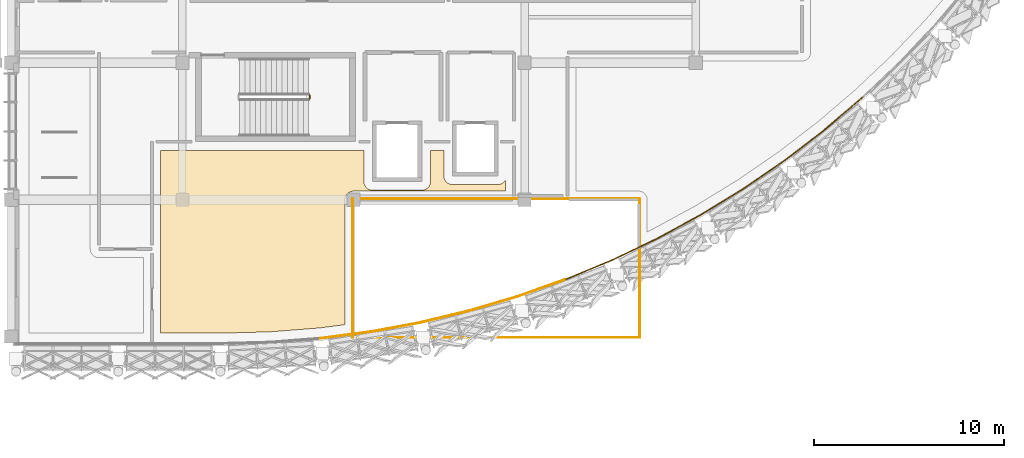
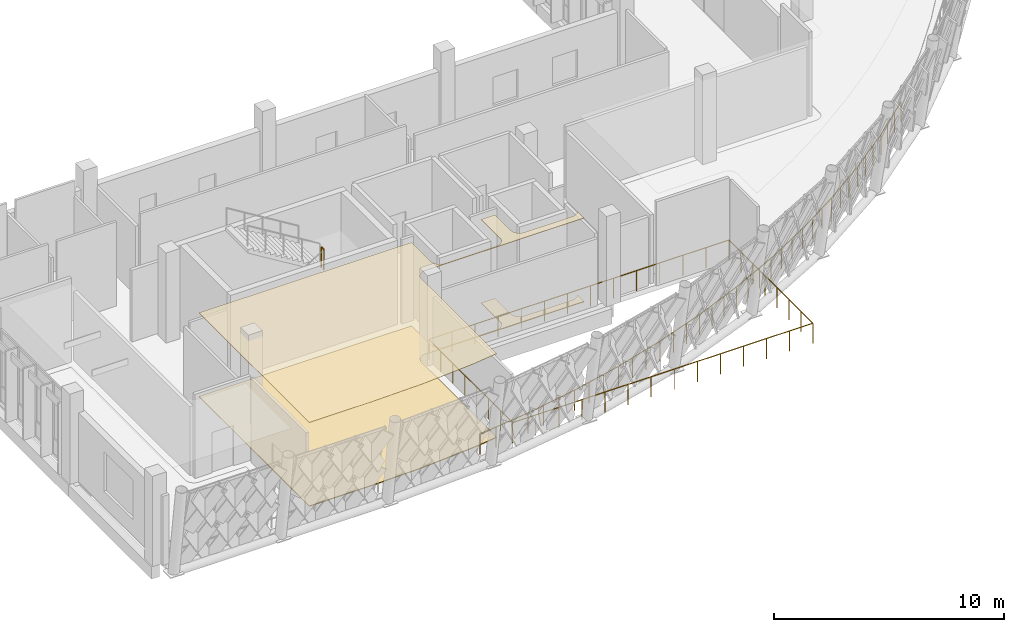
# One storey, part 174 of 177: 17 railings, 2 coverings.
"""IFC4 building model written with IfcOpenShell, lengths in metres."""

from ifc_helpers import new_model, si_unit, direction, frame, origin, origin_2d, place, context, subcontext, project, spatial, polyline, circle, outline, extrude, material, layer, layer_set, type_object, element, save


model = new_model("IFC4")

# Units and contexts
model_context = context("Model", 3, precision=1e-05, world=origin(), true_north=direction((0.0, 1.0)))
body_context = subcontext(model_context, "Body", "Model", "MODEL_VIEW")
ifc_project = project(units=[si_unit("LENGTHUNIT", "METRE"), si_unit("AREAUNIT", "SQUARE_METRE"), si_unit("VOLUMEUNIT", "CUBIC_METRE"), si_unit("PLANEANGLEUNIT", "RADIAN"), si_unit("MASSUNIT", "GRAM", prefix="KILO")], contexts=[model_context])

# Site, building, storey
site_placement = place(None, origin())
site = spatial("IfcSite", under=ifc_project, at=site_placement, CompositionType="ELEMENT")
building_placement = place(site_placement, origin())
building = spatial("IfcBuilding", under=site, at=building_placement, Name="Chiffa Square Polytechnic", CompositionType="ELEMENT")
storey_placement = place(building_placement, frame((0.0, 0.0, 4.800048828125)))
storey = spatial("IfcBuildingStorey", under=building, at=storey_placement, Name="L01", CompositionType="ELEMENT", Elevation=4.800048828125)

# Coverings
ifc_material_1 = material(Name="Perforated gypsum acoustic board")
ifc_layer_1 = layer(ifc_material_1, 0.02490234375, Name="Perforated gypsum acoustic board")
ifc_layer_set_1 = layer_set([ifc_layer_1], Name="Perforated gypsum acoustic board")
covering_type_1 = type_object("IfcCoveringType", Name="COV-CEIL-GYP", PredefinedType="CEILING", material=ifc_layer_set_1)
covering_1_placement = place(storey_placement, frame((0.0, 0.0, 4.45703125)))
element("IfcCovering", 1, at=covering_1_placement, inside=storey, type_object=covering_type_1, Name="Suspended acoustic ceiling CL-V1-L01-024", PredefinedType="CEILING", context=body_context, shape_type="SweptSolid", body=[
    extrude(outline(polyline([(120.050048828125, 17.0), (130.75, 17.0), (130.75, 15.35009765625), (130.751953125, 15.305908203125), (130.759033203125, 15.261962890625), (130.76904296875, 15.218994140625), (130.783935546875, 15.177978515625), (130.802978515625, 15.137939453125), (130.825927734375, 15.10009765625), (130.85205078125, 15.06494140625), (130.882080078125, 15.031982421875), (130.9150390625, 15.001953125), (130.949951171875, 14.97607421875), (130.988037109375, 14.952880859375), (131.028076171875, 14.93408203125), (131.069091796875, 14.9189453125), (131.112060546875, 14.908935546875), (131.156005859375, 14.902099609375), (131.199951171875, 14.89990234375), (133.800048828125, 14.89990234375), (133.843994140625, 14.902099609375), (133.887939453125, 14.908935546875), (133.930908203125, 14.9189453125), (133.971923828125, 14.93408203125), (134.011962890625, 14.952880859375), (134.050048828125, 14.97607421875), (134.0849609375, 15.001953125), (134.117919921875, 15.031982421875), (134.14794921875, 15.06494140625), (134.174072265625, 15.10009765625), (134.197021484375, 15.137939453125), (134.216064453125, 15.177978515625), (134.23095703125, 15.218994140625), (134.240966796875, 15.261962890625), (134.248046875, 15.305908203125), (134.25, 15.35009765625), (134.25, 17.0), (134.949951171875, 17.0), (134.949951171875, 15.64990234375), (134.951904296875, 15.60595703125), (134.958984375, 15.56201171875), (134.968994140625, 15.51904296875), (134.98388671875, 15.47802734375), (135.0029296875, 15.43798828125), (135.02587890625, 15.39990234375), (135.052001953125, 15.364990234375), (135.08203125, 15.33203125), (135.114990234375, 15.302001953125), (135.14990234375, 15.27587890625), (135.18798828125, 15.2529296875), (135.22802734375, 15.23388671875), (135.26904296875, 15.218994140625), (135.31201171875, 15.208984375), (135.35595703125, 15.201904296875), (135.39990234375, 15.199951171875), (137.800048828125, 15.199951171875), (137.843994140625, 15.201904296875), (137.887939453125, 15.208984375), (137.930908203125, 15.218994140625), (137.971923828125, 15.23388671875), (138.011962890625, 15.2529296875), (138.050048828125, 15.27587890625), (138.0849609375, 15.302001953125), (138.117919921875, 15.33203125), (138.14794921875, 15.364990234375), (138.174072265625, 15.39990234375), (138.197021484375, 15.43798828125), (138.199951171875, 15.445068359375), (138.199951171875, 14.85009765625), (130.199951171875, 14.85009765625), (130.156005859375, 14.847900390625), (130.112060546875, 14.841064453125), (130.069091796875, 14.8310546875), (130.028076171875, 14.81591796875), (129.988037109375, 14.797119140625), (129.949951171875, 14.77392578125), (129.9150390625, 14.748046875), (129.882080078125, 14.718017578125), (129.85205078125, 14.68505859375), (129.825927734375, 14.64990234375), (129.802978515625, 14.612060546875), (129.783935546875, 14.572021484375), (129.76904296875, 14.531005859375), (129.759033203125, 14.488037109375), (129.751953125, 14.444091796875), (129.75, 14.39990234375), (129.75, 7.826904296875), (128.424072265625, 7.653076171875), (125.81494140625, 7.447021484375), (123.19091796875, 7.3779296875), (120.050048828125, 7.3779296875), (120.050048828125, 17.0)])), origin(), (0.0, 0.0, 1.0), 0.02490234375),
])
ifc_material_2 = material(Name="Polished cementitious terrazzo")
ifc_layer_2 = layer(ifc_material_2, 0.0400390625, Name="Polished cementitious terrazzo")
ifc_layer_set_2 = layer_set([ifc_layer_2], Name="Polished cementitious terrazzo")
covering_type_2 = type_object("IfcCoveringType", Name="COV-FLR-TERRAZZO", PredefinedType="FLOORING", material=ifc_layer_set_2)
covering_2_placement = place(storey_placement, origin())
element("IfcCovering", 2, at=covering_2_placement, inside=storey, type_object=covering_type_2, Name="Polished terrazzo floor finish FL-V1-L01-023", PredefinedType="FLOORING", context=body_context, shape_type="SweptSolid", body=[
    extrude(outline(polyline([(120.050048828125, 17.0), (130.75, 17.0), (130.75, 15.35009765625), (130.751953125, 15.305908203125), (130.759033203125, 15.261962890625), (130.76904296875, 15.218994140625), (130.783935546875, 15.177978515625), (130.802978515625, 15.137939453125), (130.825927734375, 15.10009765625), (130.85205078125, 15.06494140625), (130.882080078125, 15.031982421875), (130.9150390625, 15.001953125), (130.949951171875, 14.97607421875), (130.988037109375, 14.952880859375), (131.028076171875, 14.93408203125), (131.069091796875, 14.9189453125), (131.112060546875, 14.908935546875), (131.156005859375, 14.902099609375), (131.199951171875, 14.89990234375), (133.800048828125, 14.89990234375), (133.843994140625, 14.902099609375), (133.887939453125, 14.908935546875), (133.930908203125, 14.9189453125), (133.971923828125, 14.93408203125), (134.011962890625, 14.952880859375), (134.050048828125, 14.97607421875), (134.0849609375, 15.001953125), (134.117919921875, 15.031982421875), (134.14794921875, 15.06494140625), (134.174072265625, 15.10009765625), (134.197021484375, 15.137939453125), (134.216064453125, 15.177978515625), (134.23095703125, 15.218994140625), (134.240966796875, 15.261962890625), (134.248046875, 15.305908203125), (134.25, 15.35009765625), (134.25, 17.0), (134.949951171875, 17.0), (134.949951171875, 15.64990234375), (134.951904296875, 15.60595703125), (134.958984375, 15.56201171875), (134.968994140625, 15.51904296875), (134.98388671875, 15.47802734375), (135.0029296875, 15.43798828125), (135.02587890625, 15.39990234375), (135.052001953125, 15.364990234375), (135.08203125, 15.33203125), (135.114990234375, 15.302001953125), (135.14990234375, 15.27587890625), (135.18798828125, 15.2529296875), (135.22802734375, 15.23388671875), (135.26904296875, 15.218994140625), (135.31201171875, 15.208984375), (135.35595703125, 15.201904296875), (135.39990234375, 15.199951171875), (137.800048828125, 15.199951171875), (137.843994140625, 15.201904296875), (137.887939453125, 15.208984375), (137.930908203125, 15.218994140625), (137.971923828125, 15.23388671875), (138.011962890625, 15.2529296875), (138.050048828125, 15.27587890625), (138.0849609375, 15.302001953125), (138.117919921875, 15.33203125), (138.14794921875, 15.364990234375), (138.174072265625, 15.39990234375), (138.197021484375, 15.43798828125), (138.199951171875, 15.445068359375), (138.199951171875, 14.85009765625), (130.199951171875, 14.85009765625), (130.156005859375, 14.847900390625), (130.112060546875, 14.841064453125), (130.069091796875, 14.8310546875), (130.028076171875, 14.81591796875), (129.988037109375, 14.797119140625), (129.949951171875, 14.77392578125), (129.9150390625, 14.748046875), (129.882080078125, 14.718017578125), (129.85205078125, 14.68505859375), (129.825927734375, 14.64990234375), (129.802978515625, 14.612060546875), (129.783935546875, 14.572021484375), (129.76904296875, 14.531005859375), (129.759033203125, 14.488037109375), (129.751953125, 14.444091796875), (129.75, 14.39990234375), (129.75, 7.826904296875), (128.424072265625, 7.653076171875), (125.81494140625, 7.447021484375), (123.19091796875, 7.3779296875), (120.050048828125, 7.3779296875), (120.050048828125, 17.0)])), origin(), (0.0, 0.0, 1.0), 0.0400390625),
])

# Railings
ifc_material_3 = material(Name="Steel S355", Category="steel")
ifc_layer_3 = layer(ifc_material_3, 0.050048828125, Name="Steel S355")
ifc_layer_set_3 = layer_set([ifc_layer_3], Name="Steel S355")
railing_type = type_object("IfcRailingType", Name="RL-STAIR-GUARD", PredefinedType="GUARDRAIL", material=ifc_layer_set_3)
railing_1_placement = place(storey_placement, frame((127.889892578125, 19.699951171875, 2.39990234375)))
element("IfcRailing", 3, at=railing_1_placement, inside=storey, type_object=railing_type, Name="L01 ST-V1A stair guard 2", PredefinedType="GUARDRAIL", context=body_context, shape_type="SweptSolid", body=[
    extrude(circle(Radius=0.02392578125, at=origin_2d()), frame((0.0, 0.0, 1.076171875), z_axis=(0.0, 1.0, 0.0), x_axis=(-1.0, 0.0, 0.0)), (0.0, 0.0, 1.0), 0.199951171875),
    extrude(circle(Radius=0.02099609375, at=origin_2d()), origin(), (0.0, 0.0, 1.0), 1.052001953125),
    extrude(circle(Radius=0.02099609375, at=origin_2d()), frame((0.0, 0.199951171875, 0.0)), (0.0, 0.0, 1.0), 1.052001953125),
])
railing_2_placement = place(storey_placement, frame((130.14990234375, 7.14990234375, 0.0)))
element("IfcRailing", 4, at=railing_2_placement, inside=storey, type_object=railing_type, Name="Atrium void guard GR-VOID-V1-L01-1", PredefinedType="GUARDRAIL", context=body_context, shape_type="SweptSolid", body=[
    extrude(circle(Radius=0.02392578125, at=origin_2d()), frame((0.0, 0.0, 1.076171875), z_axis=(1.0, 0.0, 0.0), x_axis=(0.0, 1.0, 0.0)), (0.0, 0.0, 1.0), 15.10009765625),
    extrude(circle(Radius=0.02099609375, at=origin_2d()), origin(), (0.0, 0.0, 1.0), 1.052001953125),
    extrude(circle(Radius=0.02099609375, at=origin_2d()), frame((1.16162109375, 0.0, 0.0)), (0.0, 0.0, 1.0), 1.052001953125),
    extrude(circle(Radius=0.02099609375, at=origin_2d()), frame((2.322998046875, 0.0, 0.0)), (0.0, 0.0, 1.0), 1.052001953125),
    extrude(circle(Radius=0.02099609375, at=origin_2d()), frame((3.484619140625, 0.0, 0.0)), (0.0, 0.0, 1.0), 1.052001953125),
    extrude(circle(Radius=0.02099609375, at=origin_2d()), frame((4.646240234375, 0.0, 0.0)), (0.0, 0.0, 1.0), 1.052001953125),
    extrude(circle(Radius=0.02099609375, at=origin_2d()), frame((5.8076171875, 0.0, 0.0)), (0.0, 0.0, 1.0), 1.052001953125),
    extrude(circle(Radius=0.02099609375, at=origin_2d()), frame((6.96923828125, 0.0, 0.0)), (0.0, 0.0, 1.0), 1.052001953125),
    extrude(circle(Radius=0.02099609375, at=origin_2d()), frame((8.130859375, 0.0, 0.0)), (0.0, 0.0, 1.0), 1.052001953125),
    extrude(circle(Radius=0.02099609375, at=origin_2d()), frame((9.29248046875, 0.0, 0.0)), (0.0, 0.0, 1.0), 1.052001953125),
    extrude(circle(Radius=0.02099609375, at=origin_2d()), frame((10.453857421875, 0.0, 0.0)), (0.0, 0.0, 1.0), 1.052001953125),
    extrude(circle(Radius=0.02099609375, at=origin_2d()), frame((11.615478515625, 0.0, 0.0)), (0.0, 0.0, 1.0), 1.052001953125),
    extrude(circle(Radius=0.02099609375, at=origin_2d()), frame((12.777099609375, 0.0, 0.0)), (0.0, 0.0, 1.0), 1.052001953125),
    extrude(circle(Radius=0.02099609375, at=origin_2d()), frame((13.9384765625, 0.0, 0.0)), (0.0, 0.0, 1.0), 1.052001953125),
    extrude(circle(Radius=0.02099609375, at=origin_2d()), frame((15.10009765625, 0.0, 0.0)), (0.0, 0.0, 1.0), 1.052001953125),
])
railing_3_placement = place(storey_placement, frame((145.25, 7.14990234375, 0.0)))
element("IfcRailing", 5, at=railing_3_placement, inside=storey, type_object=railing_type, Name="Atrium void guard GR-VOID-V1-L01-2", PredefinedType="GUARDRAIL", context=body_context, shape_type="SweptSolid", body=[
    extrude(circle(Radius=0.02392578125, at=origin_2d()), frame((0.0, 0.0, 1.076171875), z_axis=(0.0, 1.0, 0.0), x_axis=(-1.0, 0.0, 0.0)), (0.0, 0.0, 1.0), 7.300048828125),
    extrude(circle(Radius=0.02099609375, at=origin_2d()), origin(), (0.0, 0.0, 1.0), 1.052001953125),
    extrude(circle(Radius=0.02099609375, at=origin_2d()), frame((0.0, 1.04296875, 0.0)), (0.0, 0.0, 1.0), 1.052001953125),
    extrude(circle(Radius=0.02099609375, at=origin_2d()), frame((0.0, 2.085693359375, 0.0)), (0.0, 0.0, 1.0), 1.052001953125),
    extrude(circle(Radius=0.02099609375, at=origin_2d()), frame((0.0, 3.128662109375, 0.0)), (0.0, 0.0, 1.0), 1.052001953125),
    extrude(circle(Radius=0.02099609375, at=origin_2d()), frame((0.0, 4.17138671875, 0.0)), (0.0, 0.0, 1.0), 1.052001953125),
    extrude(circle(Radius=0.02099609375, at=origin_2d()), frame((0.0, 5.21435546875, 0.0)), (0.0, 0.0, 1.0), 1.052001953125),
    extrude(circle(Radius=0.02099609375, at=origin_2d()), frame((0.0, 6.257080078125, 0.0)), (0.0, 0.0, 1.0), 1.052001953125),
    extrude(circle(Radius=0.02099609375, at=origin_2d()), frame((0.0, 7.300048828125, 0.0)), (0.0, 0.0, 1.0), 1.052001953125),
])
railing_4_placement = place(storey_placement, frame((145.25, 14.449951171875, 0.0)))
element("IfcRailing", 6, at=railing_4_placement, inside=storey, type_object=railing_type, Name="Atrium void guard GR-VOID-V1-L01-3", PredefinedType="GUARDRAIL", context=body_context, shape_type="SweptSolid", body=[
    extrude(circle(Radius=0.02392578125, at=origin_2d()), frame((0.0, 0.0, 1.076171875), z_axis=(-1.0, 0.0, 0.0), x_axis=(0.0, -1.0, 0.0)), (0.0, 0.0, 1.0), 15.10009765625),
    extrude(circle(Radius=0.02099609375, at=origin_2d()), origin(), (0.0, 0.0, 1.0), 1.052001953125),
    extrude(circle(Radius=0.02099609375, at=origin_2d()), frame((-1.16162109375, 0.0, 0.0)), (0.0, 0.0, 1.0), 1.052001953125),
    extrude(circle(Radius=0.02099609375, at=origin_2d()), frame((-2.322998046875, 0.0, 0.0)), (0.0, 0.0, 1.0), 1.052001953125),
    extrude(circle(Radius=0.02099609375, at=origin_2d()), frame((-3.484619140625, 0.0, 0.0)), (0.0, 0.0, 1.0), 1.052001953125),
    extrude(circle(Radius=0.02099609375, at=origin_2d()), frame((-4.646240234375, 0.0, 0.0)), (0.0, 0.0, 1.0), 1.052001953125),
    extrude(circle(Radius=0.02099609375, at=origin_2d()), frame((-5.8076171875, 0.0, 0.0)), (0.0, 0.0, 1.0), 1.052001953125),
    extrude(circle(Radius=0.02099609375, at=origin_2d()), frame((-6.96923828125, 0.0, 0.0)), (0.0, 0.0, 1.0), 1.052001953125),
    extrude(circle(Radius=0.02099609375, at=origin_2d()), frame((-8.130859375, 0.0, 0.0)), (0.0, 0.0, 1.0), 1.052001953125),
    extrude(circle(Radius=0.02099609375, at=origin_2d()), frame((-9.29248046875, 0.0, 0.0)), (0.0, 0.0, 1.0), 1.052001953125),
    extrude(circle(Radius=0.02099609375, at=origin_2d()), frame((-10.453857421875, 0.0, 0.0)), (0.0, 0.0, 1.0), 1.052001953125),
    extrude(circle(Radius=0.02099609375, at=origin_2d()), frame((-11.615478515625, 0.0, 0.0)), (0.0, 0.0, 1.0), 1.052001953125),
    extrude(circle(Radius=0.02099609375, at=origin_2d()), frame((-12.777099609375, 0.0, 0.0)), (0.0, 0.0, 1.0), 1.052001953125),
    extrude(circle(Radius=0.02099609375, at=origin_2d()), frame((-13.9384765625, 0.0, 0.0)), (0.0, 0.0, 1.0), 1.052001953125),
    extrude(circle(Radius=0.02099609375, at=origin_2d()), frame((-15.10009765625, 0.0, 0.0)), (0.0, 0.0, 1.0), 1.052001953125),
])
railing_5_placement = place(storey_placement, frame((130.14990234375, 14.449951171875, 0.0)))
element("IfcRailing", 7, at=railing_5_placement, inside=storey, type_object=railing_type, Name="Atrium void guard GR-VOID-V1-L01-4", PredefinedType="GUARDRAIL", context=body_context, shape_type="SweptSolid", body=[
    extrude(circle(Radius=0.02392578125, at=origin_2d()), frame((0.0, 0.0, 1.076171875), z_axis=(0.0, -1.0, 0.0), x_axis=(1.0, 0.0, 0.0)), (0.0, 0.0, 1.0), 7.300048828125),
    extrude(circle(Radius=0.02099609375, at=origin_2d()), origin(), (0.0, 0.0, 1.0), 1.052001953125),
    extrude(circle(Radius=0.02099609375, at=origin_2d()), frame((0.0, -1.04296875, 0.0)), (0.0, 0.0, 1.0), 1.052001953125),
    extrude(circle(Radius=0.02099609375, at=origin_2d()), frame((0.0, -2.085693359375, 0.0)), (0.0, 0.0, 1.0), 1.052001953125),
    extrude(circle(Radius=0.02099609375, at=origin_2d()), frame((0.0, -3.128662109375, 0.0)), (0.0, 0.0, 1.0), 1.052001953125),
    extrude(circle(Radius=0.02099609375, at=origin_2d()), frame((0.0, -4.17138671875, 0.0)), (0.0, 0.0, 1.0), 1.052001953125),
    extrude(circle(Radius=0.02099609375, at=origin_2d()), frame((0.0, -5.21435546875, 0.0)), (0.0, 0.0, 1.0), 1.052001953125),
    extrude(circle(Radius=0.02099609375, at=origin_2d()), frame((0.0, -6.257080078125, 0.0)), (0.0, 0.0, 1.0), 1.052001953125),
    extrude(circle(Radius=0.02099609375, at=origin_2d()), frame((0.0, -7.300048828125, 0.0)), (0.0, 0.0, 1.0), 1.052001953125),
])
railing_6_placement = place(storey_placement, frame((128.48095703125, 7.10498046875, 0.0)))
element("IfcRailing", 8, at=railing_6_placement, inside=storey, type_object=railing_type, Name="Faculty L01 perimeter safety guard GR-V1-L01-PERIM-07", PredefinedType="GUARDRAIL", context=body_context, shape_type="SweptSolid", body=[
    extrude(circle(Radius=0.02392578125, at=origin_2d()), frame((0.0, 0.0, 1.076171875), z_axis=(0.991456180688, 0.130440184666, 0.0), x_axis=(-0.130440184666, 0.991456180688, 0.0)), (0.0, 0.0, 1.0), 2.644775390625),
    extrude(circle(Radius=0.02099609375, at=origin_2d()), origin(), (0.0, 0.0, 1.0), 1.052001953125),
    extrude(circle(Radius=0.02099609375, at=origin_2d()), frame((0.8740234375, 0.114990234375, 0.0)), (0.0, 0.0, 1.0), 1.052001953125),
    extrude(circle(Radius=0.02099609375, at=origin_2d()), frame((1.748046875, 0.22998046875, 0.0)), (0.0, 0.0, 1.0), 1.052001953125),
    extrude(circle(Radius=0.02099609375, at=origin_2d()), frame((2.6220703125, 0.344970703125, 0.0)), (0.0, 0.0, 1.0), 1.052001953125),
])
railing_7_placement = place(storey_placement, frame((131.10302734375, 7.449951171875, 0.0)))
element("IfcRailing", 9, at=railing_7_placement, inside=storey, type_object=railing_type, Name="Faculty L01 perimeter safety guard GR-V1-L01-PERIM-08", PredefinedType="GUARDRAIL", context=body_context, shape_type="SweptSolid", body=[
    extrude(circle(Radius=0.02392578125, at=origin_2d()), frame((0.0, 0.0, 1.076171875), z_axis=(0.98326486443, 0.182181794855, 0.0), x_axis=(-0.182181794855, 0.98326486443, 0.0)), (0.0, 0.0, 1.0), 2.645263671875),
    extrude(circle(Radius=0.02099609375, at=origin_2d()), origin(), (0.0, 0.0, 1.0), 1.052001953125),
    extrude(circle(Radius=0.02099609375, at=origin_2d()), frame((0.866943359375, 0.16064453125, 0.0)), (0.0, 0.0, 1.0), 1.052001953125),
    extrude(circle(Radius=0.02099609375, at=origin_2d()), frame((1.734130859375, 0.3212890625, 0.0)), (0.0, 0.0, 1.0), 1.052001953125),
    extrude(circle(Radius=0.02099609375, at=origin_2d()), frame((2.60107421875, 0.48193359375, 0.0)), (0.0, 0.0, 1.0), 1.052001953125),
])
railing_8_placement = place(storey_placement, frame((133.7041015625, 7.931884765625, 0.0)))
element("IfcRailing", 10, at=railing_8_placement, inside=storey, type_object=railing_type, Name="Faculty L01 perimeter safety guard GR-V1-L01-PERIM-09", PredefinedType="GUARDRAIL", context=body_context, shape_type="SweptSolid", body=[
    extrude(circle(Radius=0.02392578125, at=origin_2d()), frame((0.0, 0.0, 1.076171875), z_axis=(0.972306811826, 0.233708073623, 0.0), x_axis=(-0.233708073623, 0.972306811826, 0.0)), (0.0, 0.0, 1.0), 2.64501953125),
    extrude(circle(Radius=0.02099609375, at=origin_2d()), origin(), (0.0, 0.0, 1.0), 1.052001953125),
    extrude(circle(Radius=0.02099609375, at=origin_2d()), frame((0.857177734375, 0.2060546875, 0.0)), (0.0, 0.0, 1.0), 1.052001953125),
    extrude(circle(Radius=0.02099609375, at=origin_2d()), frame((1.714599609375, 0.412109375, 0.0)), (0.0, 0.0, 1.0), 1.052001953125),
    extrude(circle(Radius=0.02099609375, at=origin_2d()), frame((2.57177734375, 0.6181640625, 0.0)), (0.0, 0.0, 1.0), 1.052001953125),
])
railing_9_placement = place(storey_placement, frame((136.27587890625, 8.550048828125, 0.0)))
element("IfcRailing", 11, at=railing_9_placement, inside=storey, type_object=railing_type, Name="Faculty L01 perimeter safety guard GR-V1-L01-PERIM-10", PredefinedType="GUARDRAIL", context=body_context, shape_type="SweptSolid", body=[
    extrude(circle(Radius=0.02392578125, at=origin_2d()), frame((0.0, 0.0, 1.076171875), z_axis=(0.958846520176, 0.283924903356, 0.0), x_axis=(-0.283924903356, 0.958846520176, 0.0)), (0.0, 0.0, 1.0), 2.64501953125),
    extrude(circle(Radius=0.02099609375, at=origin_2d()), origin(), (0.0, 0.0, 1.0), 1.052001953125),
    extrude(circle(Radius=0.02099609375, at=origin_2d()), frame((0.845458984375, 0.250244140625, 0.0)), (0.0, 0.0, 1.0), 1.052001953125),
    extrude(circle(Radius=0.02099609375, at=origin_2d()), frame((1.690673828125, 0.500732421875, 0.0)), (0.0, 0.0, 1.0), 1.052001953125),
    extrude(circle(Radius=0.02099609375, at=origin_2d()), frame((2.5361328125, 0.7509765625, 0.0)), (0.0, 0.0, 1.0), 1.052001953125),
])
railing_10_placement = place(storey_placement, frame((138.81201171875, 9.301025390625, 0.0)))
element("IfcRailing", 12, at=railing_10_placement, inside=storey, type_object=railing_type, Name="Faculty L01 perimeter safety guard GR-V1-L01-PERIM-11", PredefinedType="GUARDRAIL", context=body_context, shape_type="SweptSolid", body=[
    extrude(circle(Radius=0.02392578125, at=origin_2d()), frame((0.0, 0.0, 1.076171875), z_axis=(0.94260967261, 0.33389669825, 0.0), x_axis=(-0.33389669825, 0.94260967261, 0.0)), (0.0, 0.0, 1.0), 2.644775390625),
    extrude(circle(Radius=0.02099609375, at=origin_2d()), origin(), (0.0, 0.0, 1.0), 1.052001953125),
    extrude(circle(Radius=0.02099609375, at=origin_2d()), frame((0.8310546875, 0.29443359375, 0.0)), (0.0, 0.0, 1.0), 1.052001953125),
    extrude(circle(Radius=0.02099609375, at=origin_2d()), frame((1.661865234375, 0.588623046875, 0.0)), (0.0, 0.0, 1.0), 1.052001953125),
    extrude(circle(Radius=0.02099609375, at=origin_2d()), frame((2.492919921875, 0.883056640625, 0.0)), (0.0, 0.0, 1.0), 1.052001953125),
])
railing_11_placement = place(storey_placement, frame((141.304931640625, 10.18408203125, 0.0)))
element("IfcRailing", 13, at=railing_11_placement, inside=storey, type_object=railing_type, Name="Faculty L01 perimeter safety guard GR-V1-L01-PERIM-12", PredefinedType="GUARDRAIL", context=body_context, shape_type="SweptSolid", body=[
    extrude(circle(Radius=0.02392578125, at=origin_2d()), frame((0.0, 0.0, 1.076171875), z_axis=(0.923934732197, 0.38255014134, 0.0), x_axis=(-0.38255014134, 0.923934732197, 0.0)), (0.0, 0.0, 1.0), 2.645263671875),
    extrude(circle(Radius=0.02099609375, at=origin_2d()), origin(), (0.0, 0.0, 1.0), 1.052001953125),
    extrude(circle(Radius=0.02099609375, at=origin_2d()), frame((0.814697265625, 0.33740234375, 0.0)), (0.0, 0.0, 1.0), 1.052001953125),
    extrude(circle(Radius=0.02099609375, at=origin_2d()), frame((1.62939453125, 0.674560546875, 0.0)), (0.0, 0.0, 1.0), 1.052001953125),
    extrude(circle(Radius=0.02099609375, at=origin_2d()), frame((2.444091796875, 1.011962890625, 0.0)), (0.0, 0.0, 1.0), 1.052001953125),
])
railing_12_placement = place(storey_placement, frame((143.7490234375, 11.196044921875, 0.0)))
element("IfcRailing", 14, at=railing_12_placement, inside=storey, type_object=railing_type, Name="Faculty L01 perimeter safety guard GR-V1-L01-PERIM-13", PredefinedType="GUARDRAIL", context=body_context, shape_type="SweptSolid", body=[
    extrude(circle(Radius=0.02392578125, at=origin_2d()), frame((0.0, 0.0, 1.076171875), z_axis=(0.902527518274, 0.430632185, 0.0), x_axis=(-0.430632185, 0.902527518274, 0.0)), (0.0, 0.0, 1.0), 2.644775390625),
    extrude(circle(Radius=0.02099609375, at=origin_2d()), origin(), (0.0, 0.0, 1.0), 1.052001953125),
    extrude(circle(Radius=0.02099609375, at=origin_2d()), frame((0.795654296875, 0.379638671875, 0.0)), (0.0, 0.0, 1.0), 1.052001953125),
    extrude(circle(Radius=0.02099609375, at=origin_2d()), frame((1.59130859375, 0.75927734375, 0.0)), (0.0, 0.0, 1.0), 1.052001953125),
    extrude(circle(Radius=0.02099609375, at=origin_2d()), frame((2.386962890625, 1.138916015625, 0.0)), (0.0, 0.0, 1.0), 1.052001953125),
])
railing_13_placement = place(storey_placement, frame((146.135986328125, 12.3349609375, 0.0)))
element("IfcRailing", 15, at=railing_13_placement, inside=storey, type_object=railing_type, Name="Faculty L01 perimeter safety guard GR-V1-L01-PERIM-14", PredefinedType="GUARDRAIL", context=body_context, shape_type="SweptSolid", body=[
    extrude(circle(Radius=0.02392578125, at=origin_2d()), frame((0.0, 0.0, 1.076171875), z_axis=(0.87887775412, 0.477047055659, 0.0), x_axis=(-0.477047055659, 0.87887775412, 0.0)), (0.0, 0.0, 1.0), 2.645263671875),
    extrude(circle(Radius=0.02099609375, at=origin_2d()), origin(), (0.0, 0.0, 1.0), 1.052001953125),
    extrude(circle(Radius=0.02099609375, at=origin_2d()), frame((0.77490234375, 0.420654296875, 0.0)), (0.0, 0.0, 1.0), 1.052001953125),
    extrude(circle(Radius=0.02099609375, at=origin_2d()), frame((1.550048828125, 0.84130859375, 0.0)), (0.0, 0.0, 1.0), 1.052001953125),
    extrude(circle(Radius=0.02099609375, at=origin_2d()), frame((2.324951171875, 1.261962890625, 0.0)), (0.0, 0.0, 1.0), 1.052001953125),
])
railing_14_placement = place(storey_placement, frame((148.4609375, 13.596923828125, 0.0)))
element("IfcRailing", 16, at=railing_14_placement, inside=storey, type_object=railing_type, Name="Faculty L01 perimeter safety guard GR-V1-L01-PERIM-15", PredefinedType="GUARDRAIL", context=body_context, shape_type="SweptSolid", body=[
    extrude(circle(Radius=0.02392578125, at=origin_2d()), frame((0.0, 0.0, 1.076171875), z_axis=(0.852617171409, 0.522536083939, 0.0), x_axis=(-0.522536083939, 0.852617171409, 0.0)), (0.0, 0.0, 1.0), 2.64501953125),
    extrude(circle(Radius=0.02099609375, at=origin_2d()), origin(), (0.0, 0.0, 1.0), 1.052001953125),
    extrude(circle(Radius=0.02099609375, at=origin_2d()), frame((0.751708984375, 0.460693359375, 0.0)), (0.0, 0.0, 1.0), 1.052001953125),
    extrude(circle(Radius=0.02099609375, at=origin_2d()), frame((1.50341796875, 0.92138671875, 0.0)), (0.0, 0.0, 1.0), 1.052001953125),
    extrude(circle(Radius=0.02099609375, at=origin_2d()), frame((2.255126953125, 1.382080078125, 0.0)), (0.0, 0.0, 1.0), 1.052001953125),
])
railing_15_placement = place(storey_placement, frame((150.716064453125, 14.97900390625, 0.0)))
element("IfcRailing", 17, at=railing_15_placement, inside=storey, type_object=railing_type, Name="Faculty L01 perimeter safety guard GR-V1-L01-PERIM-16", PredefinedType="GUARDRAIL", context=body_context, shape_type="SweptSolid", body=[
    extrude(circle(Radius=0.02392578125, at=origin_2d()), frame((0.0, 0.0, 1.076171875), z_axis=(0.824157711979, 0.566360367421, 0.0), x_axis=(-0.566360367421, 0.824157711979, 0.0)), (0.0, 0.0, 1.0), 2.64501953125),
    extrude(circle(Radius=0.02099609375, at=origin_2d()), origin(), (0.0, 0.0, 1.0), 1.052001953125),
    extrude(circle(Radius=0.02099609375, at=origin_2d()), frame((0.7265625, 0.499267578125, 0.0)), (0.0, 0.0, 1.0), 1.052001953125),
    extrude(circle(Radius=0.02099609375, at=origin_2d()), frame((1.453369140625, 0.998779296875, 0.0)), (0.0, 0.0, 1.0), 1.052001953125),
    extrude(circle(Radius=0.02099609375, at=origin_2d()), frame((2.179931640625, 1.498046875, 0.0)), (0.0, 0.0, 1.0), 1.052001953125),
])
railing_16_placement = place(storey_placement, frame((152.89599609375, 16.47705078125, 0.0)))
element("IfcRailing", 18, at=railing_16_placement, inside=storey, type_object=railing_type, Name="Faculty L01 perimeter safety guard GR-V1-L01-PERIM-17", PredefinedType="GUARDRAIL", context=body_context, shape_type="SweptSolid", body=[
    extrude(circle(Radius=0.02392578125, at=origin_2d()), frame((0.0, 0.0, 1.076171875), z_axis=(0.793337324024, 0.608782301247, 0.0), x_axis=(-0.608782301247, 0.793337324024, 0.0)), (0.0, 0.0, 1.0), 2.644287109375),
    extrude(circle(Radius=0.02099609375, at=origin_2d()), origin(), (0.0, 0.0, 1.0), 1.052001953125),
    extrude(circle(Radius=0.02099609375, at=origin_2d()), frame((0.69921875, 0.53662109375, 0.0)), (0.0, 0.0, 1.0), 1.052001953125),
    extrude(circle(Radius=0.02099609375, at=origin_2d()), frame((1.398681640625, 1.0732421875, 0.0)), (0.0, 0.0, 1.0), 1.052001953125),
    extrude(circle(Radius=0.02099609375, at=origin_2d()), frame((2.097900390625, 1.60986328125, 0.0)), (0.0, 0.0, 1.0), 1.052001953125),
])
railing_17_placement = place(storey_placement, frame((154.993896484375, 18.0869140625, 0.0)))
element("IfcRailing", 19, at=railing_17_placement, inside=storey, type_object=railing_type, Name="Faculty L01 perimeter safety guard GR-V1-L01-PERIM-18", PredefinedType="GUARDRAIL", context=body_context, shape_type="SweptSolid", body=[
    extrude(circle(Radius=0.02392578125, at=origin_2d()), frame((0.0, 0.0, 1.076171875), z_axis=(0.760512266869, 0.649323564906, 0.0), x_axis=(-0.649323564906, 0.760512266869, 0.0)), (0.0, 0.0, 1.0), 2.645751953125),
    extrude(circle(Radius=0.02099609375, at=origin_2d()), origin(), (0.0, 0.0, 1.0), 1.052001953125),
    extrude(circle(Radius=0.02099609375, at=origin_2d()), frame((0.670654296875, 0.57275390625, 0.0)), (0.0, 0.0, 1.0), 1.052001953125),
    extrude(circle(Radius=0.02099609375, at=origin_2d()), frame((1.341552734375, 1.145263671875, 0.0)), (0.0, 0.0, 1.0), 1.052001953125),
    extrude(circle(Radius=0.02099609375, at=origin_2d()), frame((2.01220703125, 1.718017578125, 0.0)), (0.0, 0.0, 1.0), 1.052001953125),
])

save(model, "model.ifc")
